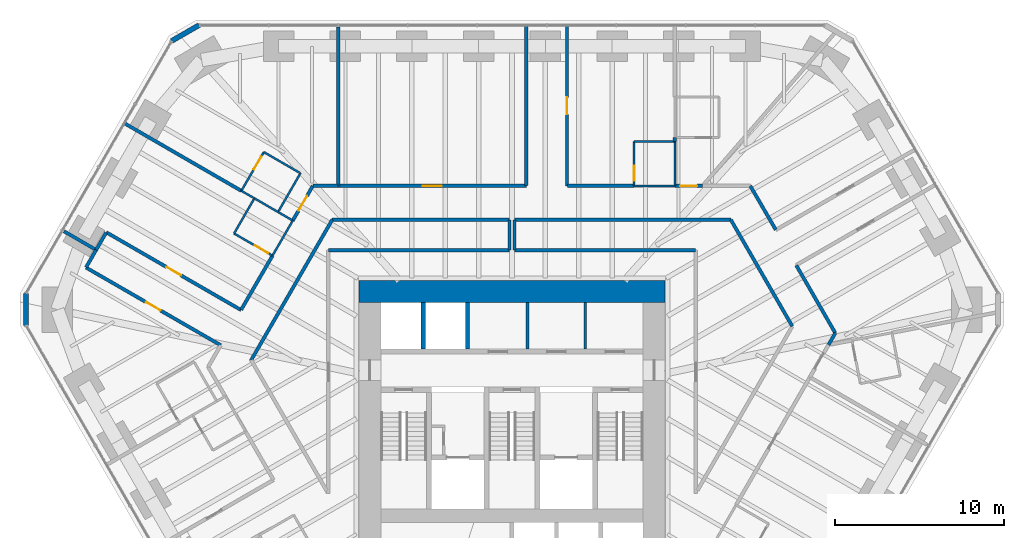
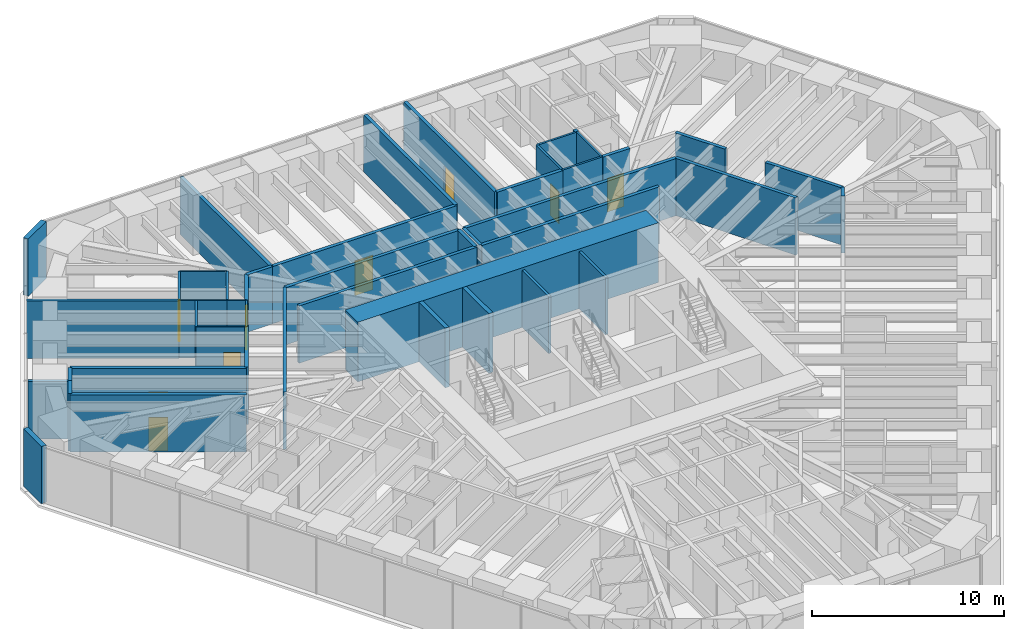
# One storey, part 14 of 16: 47 walls, 9 doors, 9 openings.
"""IFC4 building model written with IfcOpenShell, lengths in metres."""

from ifc_helpers import new_model, si_unit, direction, frame, frame_2d, origin, place, context, subcontext, project, spatial, rectangle, extrude, material, layer, layer_set, type_object, element, fill, save


model = new_model("IFC4")

# Units and contexts
model_context = context("Model", 3, precision=1e-05, world=origin(), true_north=direction((0.0, 1.0)))
body_context = subcontext(model_context, "Body", "Model", "MODEL_VIEW")
ifc_project = project(units=[si_unit("LENGTHUNIT", "METRE"), si_unit("AREAUNIT", "SQUARE_METRE"), si_unit("VOLUMEUNIT", "CUBIC_METRE"), si_unit("PLANEANGLEUNIT", "RADIAN"), si_unit("MASSUNIT", "GRAM", prefix="KILO")], contexts=[model_context])

# Site, building, storey
site_placement = place(None, origin())
site = spatial("IfcSite", under=ifc_project, at=site_placement, CompositionType="ELEMENT")
building_placement = place(site_placement, origin())
building = spatial("IfcBuilding", under=site, at=building_placement, Name="Sandreach Pilgrim Tower", CompositionType="ELEMENT")
storey_placement = place(building_placement, frame((0.0, 0.0, 134.800048828125)))
storey = spatial("IfcBuildingStorey", under=building, at=storey_placement, Name="L33", CompositionType="ELEMENT", Elevation=134.800048828125)

# Walls
ifc_material_1 = material(Name="Gypsum board on steel studs", Category="steel")
ifc_layer_1 = layer(ifc_material_1, 0.14990234375)
ifc_layer_set_1 = layer_set([ifc_layer_1], Name="Back of house wall 150")
wall_type_1 = type_object("IfcWallType", Name="Back of house wall 150", PredefinedType="PARTITIONING", material=ifc_layer_set_1)
for number, where, z_axis, x_axis, name in (
    (1, (0.916748046875, 3.35009765625, 0.0), (0.0, 0.0, 1.0), (0.0, 1.0, 0.0), "Core room partition L33 1"),
    (2, (4.333251953125, 3.35009765625, 0.0), (0.0, 0.0, 1.0), (0.0, 1.0, 0.0), "Core room partition L33 2"),
):
    element("IfcWall", number, at=place(storey_placement, frame(where, z_axis=z_axis, x_axis=x_axis)), inside=storey, type_object=wall_type_1, Name=name, PredefinedType="PARTITIONING", context=body_context, shape_type="SweptSolid", body=[
        extrude(rectangle(XDim=2.75, YDim=0.14990234375, at=frame_2d((1.375, 0.0))), origin(), (0.0, 0.0, 1.0), 3.639892578125),
    ])

# Wall, opening, door
ifc_material_2 = material(Name="Moisture-resistant gypsum board on steel studs", Category="steel")
ifc_layer_2 = layer(ifc_material_2, 0.1201171875)
ifc_layer_set_2 = layer_set([ifc_layer_2], Name="Bathroom partition 120")
wall_type_2 = type_object("IfcWallType", Name="Bathroom partition 120", PredefinedType="PARTITIONING", material=ifc_layer_set_2)
wall_1_placement = place(storey_placement, frame((-16.419921875, 10.179931640625, 0.0), z_axis=(0.0, 0.0, 1.0), x_axis=(0.866114241029, -0.499846097802, 0.0)))
wall_1 = element("IfcWall", 3, at=wall_1_placement, inside=storey, type_object=wall_type_2, Name="Bathroom partition L33-019", PredefinedType="PARTITIONING", context=body_context, shape_type="SweptSolid", body=[
    extrude(rectangle(XDim=2.620849609375, YDim=0.1201171875, at=frame_2d((1.310546875, 0.0))), origin(), (0.0, 0.0, 1.0), 3.639892578125),
])
opening_1_placement = place(wall_1_placement, frame((1.4208984375, 0.0, 0.0)))
opening_1 = element("IfcOpeningElement", 4, at=opening_1_placement, cuts=wall_1, Name="Opening D09-16B", PredefinedType="OPENING", context=body_context, shape_type="SweptSolid", body=[
    extrude(rectangle(XDim=0.89990234375, YDim=2.030029296875, at=frame_2d((0.449951171875, 1.01513671875))), frame((0.0, 0.06005859375, 0.0), z_axis=(0.0, -1.0, 0.0), x_axis=(1.0, 0.0, 0.0)), (0.0, 0.0, 1.0), 0.1201171875),
])
ifc_material_3 = material(Name="Timber door, steel frame", Category="steel")
door_type_1 = type_object("IfcDoorType", Name="Bathroom door", OperationType="SINGLE_SWING_LEFT", PredefinedType="DOOR", material=ifc_material_3)
door_1_placement = place(opening_1_placement, origin())
door_1 = element("IfcDoor", 5, at=door_1_placement, inside=storey, type_object=door_type_1, Name="Door 3316B", OperationType="SINGLE_SWING_RIGHT", OverallHeight=2.030029296875, OverallWidth=0.89990234375, PredefinedType="DOOR", context=body_context, shape_type="SweptSolid", body=[
    extrude(rectangle(XDim=0.89990234375, YDim=2.030029296875, at=frame_2d((0.449951171875, 1.01513671875))), frame((0.0, 0.02490234375, 0.0), z_axis=(0.0, -1.0, 0.0), x_axis=(1.0, 0.0, 0.0)), (0.0, 0.0, 1.0), 0.050048828125),
])
fill(opening_1, door_1)

# Walls
wall_2_placement = place(storey_placement, frame((-15.989990234375, 12.699951171875, 0.0), z_axis=(0.0, 0.0, 1.0), x_axis=(0.868277022428, -0.496079643125, 0.0)))
element("IfcWall", 6, at=wall_2_placement, inside=storey, type_object=wall_type_2, Name="Bathroom partition L33-022", PredefinedType="PARTITIONING", context=body_context, shape_type="SweptSolid", body=[
    extrude(rectangle(XDim=0.88671875, YDim=0.1201171875, at=frame_2d((0.443359375, 0.0))), origin(), (0.0, 0.0, 1.0), 3.639892578125),
])
wall_3_placement = place(storey_placement, frame((-15.219970703125, 12.260009765625, 0.0), z_axis=(0.0, 0.0, 1.0), x_axis=(-0.499693115345, -0.866202511239, 0.0)))
element("IfcWall", 7, at=wall_3_placement, inside=storey, type_object=wall_type_2, Name="Bathroom partition L33-025", PredefinedType="PARTITIONING", context=body_context, shape_type="SweptSolid", body=[
    extrude(rectangle(XDim=2.4013671875, YDim=0.1201171875, at=frame_2d((1.20068359375, 0.0))), origin(), (0.0, 0.0, 1.0), 3.639892578125),
])
wall_4_placement = place(storey_placement, frame((-15.219970703125, 12.260009765625, 0.0), z_axis=(0.0, 0.0, 1.0), x_axis=(0.864822777425, -0.502077248685, 0.0)))
element("IfcWall", 8, at=wall_4_placement, inside=storey, type_object=wall_type_2, Name="Bathroom partition L33-026", PredefinedType="PARTITIONING", context=body_context, shape_type="SweptSolid", body=[
    extrude(rectangle(XDim=1.6171875, YDim=0.1201171875, at=frame_2d((0.80859375, 0.0))), origin(), (0.0, 0.0, 1.0), 3.639892578125),
])

# Wall, opening, door
wall_5_placement = place(storey_placement, frame((-14.659912109375, 14.989990234375, 0.0), z_axis=(0.0, 0.0, 1.0), x_axis=(-0.502242265546, -0.864726954997, 0.0)))
wall_5 = element("IfcWall", 9, at=wall_5_placement, inside=storey, type_object=wall_type_2, Name="Bathroom partition L33-029", PredefinedType="PARTITIONING", context=body_context, shape_type="SweptSolid", body=[
    extrude(rectangle(XDim=2.648193359375, YDim=0.1201171875, at=frame_2d((1.32421875, 0.0))), origin(), (0.0, 0.0, 1.0), 3.639892578125),
])
opening_2_placement = place(wall_5_placement, frame((0.300048828125, 0.0, 0.0)))
opening_2 = element("IfcOpeningElement", 10, at=opening_2_placement, cuts=wall_5, Name="Opening D09-17B", PredefinedType="OPENING", context=body_context, shape_type="SweptSolid", body=[
    extrude(rectangle(XDim=0.89990234375, YDim=2.030029296875, at=frame_2d((0.449951171875, 1.01513671875))), frame((0.0, 0.06005859375, 0.0), z_axis=(0.0, -1.0, 0.0), x_axis=(1.0, 0.0, 0.0)), (0.0, 0.0, 1.0), 0.1201171875),
])
door_2_placement = place(opening_2_placement, origin())
door_2 = element("IfcDoor", 11, at=door_2_placement, inside=storey, type_object=door_type_1, Name="Door 3317B", OperationType="SINGLE_SWING_LEFT", OverallHeight=2.030029296875, OverallWidth=0.89990234375, PredefinedType="DOOR", context=body_context, shape_type="SweptSolid", body=[
    extrude(rectangle(XDim=0.89990234375, YDim=2.030029296875, at=frame_2d((0.449951171875, 1.01513671875))), frame((0.0, 0.02490234375, 0.0), z_axis=(0.0, -1.0, 0.0), x_axis=(1.0, 0.0, 0.0)), (0.0, 0.0, 1.0), 0.050048828125),
])
fill(opening_2, door_2)

# Walls
wall_6_placement = place(storey_placement, frame((-14.14990234375, 8.8701171875, 0.0), z_axis=(0.0, 0.0, 1.0), x_axis=(0.500401517907, 0.865793463175, 0.0)))
element("IfcWall", 12, at=wall_6_placement, inside=storey, type_object=wall_type_2, Name="Bathroom partition L33-031", PredefinedType="PARTITIONING", context=body_context, shape_type="SweptSolid", body=[
    extrude(rectangle(XDim=2.39599609375, YDim=0.1201171875, at=frame_2d((1.197998046875, 0.0))), origin(), (0.0, 0.0, 1.0), 3.639892578125),
])
wall_7_placement = place(storey_placement, frame((-13.8212890625, 11.447998046875, 0.0), z_axis=(0.0, 0.0, 1.0), x_axis=(0.865694957185, -0.500571914019, 0.0)))
element("IfcWall", 13, at=wall_7_placement, inside=storey, type_object=wall_type_2, Name="Bathroom partition L33-033", PredefinedType="PARTITIONING", context=body_context, shape_type="SweptSolid", body=[
    extrude(rectangle(XDim=0.994873046875, YDim=0.1201171875, at=frame_2d((0.49755859375, 0.0))), origin(), (0.0, 0.0, 1.0), 3.639892578125),
])
wall_8_placement = place(storey_placement, frame((-13.820068359375, 11.449951171875, 0.0), z_axis=(0.0, 0.0, 1.0), x_axis=(0.499407914056, 0.866366975004, 0.0)))
element("IfcWall", 14, at=wall_8_placement, inside=storey, type_object=wall_type_2, Name="Bathroom partition L33-034", PredefinedType="PARTITIONING", context=body_context, shape_type="SweptSolid", body=[
    extrude(rectangle(XDim=2.643310546875, YDim=0.1201171875, at=frame_2d((1.32177734375, 0.0))), origin(), (0.0, 0.0, 1.0), 3.639892578125),
])
wall_9_placement = place(storey_placement, frame((-12.5, 13.739990234375, 0.0), z_axis=(0.0, 0.0, 1.0), x_axis=(-0.865508881864, 0.500893576935, 0.0)))
element("IfcWall", 15, at=wall_9_placement, inside=storey, type_object=wall_type_2, Name="Bathroom partition L33-038", PredefinedType="PARTITIONING", context=body_context, shape_type="SweptSolid", body=[
    extrude(rectangle(XDim=2.49560546875, YDim=0.1201171875, at=frame_2d((1.247802734375, 0.0))), origin(), (0.0, 0.0, 1.0), 3.639892578125),
])

# Wall, opening, door
wall_10_placement = place(storey_placement, frame((7.219970703125, 15.610107421875, 0.0), z_axis=(0.0, 0.0, 1.0), x_axis=(0.0, -1.0, 0.0)))
wall_10 = element("IfcWall", 16, at=wall_10_placement, inside=storey, type_object=wall_type_2, Name="Bathroom partition L33-087", PredefinedType="PARTITIONING", context=body_context, shape_type="SweptSolid", body=[
    extrude(rectangle(XDim=2.6201171875, YDim=0.1201171875, at=frame_2d((1.31005859375, 0.0))), origin(), (0.0, 0.0, 1.0), 3.639892578125),
])
opening_3_placement = place(wall_10_placement, frame((1.419921875, 0.0, 0.0)))
opening_3 = element("IfcOpeningElement", 17, at=opening_3_placement, cuts=wall_10, Name="Opening D09-02B", PredefinedType="OPENING", context=body_context, shape_type="SweptSolid", body=[
    extrude(rectangle(XDim=0.89990234375, YDim=2.030029296875, at=frame_2d((0.449951171875, 1.01513671875))), frame((0.0, 0.06005859375, 0.0), z_axis=(0.0, -1.0, 0.0), x_axis=(1.0, 0.0, 0.0)), (0.0, 0.0, 1.0), 0.1201171875),
])
door_3_placement = place(opening_3_placement, origin())
door_3 = element("IfcDoor", 18, at=door_3_placement, inside=storey, type_object=door_type_1, Name="Door 3302B", OperationType="SINGLE_SWING_RIGHT", OverallHeight=2.030029296875, OverallWidth=0.89990234375, PredefinedType="DOOR", context=body_context, shape_type="SweptSolid", body=[
    extrude(rectangle(XDim=0.89990234375, YDim=2.030029296875, at=frame_2d((0.449951171875, 1.01513671875))), frame((0.0, 0.02490234375, 0.0), z_axis=(0.0, -1.0, 0.0), x_axis=(1.0, 0.0, 0.0)), (0.0, 0.0, 1.0), 0.050048828125),
])
fill(opening_3, door_3)

# Walls
for number, where, z_axis, x_axis, name in (
    (19, (9.6201171875, 12.989990234375, 0.0), (0.0, 0.0, 1.0), (-1.0, 0.0, 0.0), "Bathroom partition L33-098"),
    (20, (9.6201171875, 15.610107421875, 0.0), (0.0, 0.0, 1.0), (-1.0, 0.0, 0.0), "Bathroom partition L33-099"),
):
    element("IfcWall", number, at=place(storey_placement, frame(where, z_axis=z_axis, x_axis=x_axis)), inside=storey, type_object=wall_type_2, Name=name, PredefinedType="PARTITIONING", context=body_context, shape_type="SweptSolid", body=[
        extrude(rectangle(XDim=2.400146484375, YDim=0.1201171875, at=frame_2d((1.2001953125, 0.0))), origin(), (0.0, 0.0, 1.0), 3.639892578125),
    ])
wall_11_placement = place(storey_placement, frame((9.6201171875, 15.610107421875, 0.0), z_axis=(0.0, 0.0, 1.0), x_axis=(0.0, -1.0, 0.0)))
element("IfcWall", 21, at=wall_11_placement, inside=storey, type_object=wall_type_2, Name="Bathroom partition L33-100", PredefinedType="PARTITIONING", context=body_context, shape_type="SweptSolid", body=[
    extrude(rectangle(XDim=2.6201171875, YDim=0.1201171875, at=frame_2d((1.31005859375, 0.0))), origin(), (0.0, 0.0, 1.0), 3.639892578125),
])
ifc_material_4 = material(Name="Concrete 10000 psi", Category="concrete")
ifc_layer_3 = layer(ifc_material_4, 1.300048828125)
ifc_layer_set_3 = layer_set([ifc_layer_3], Name="Core wall 1300")
wall_type_3 = type_object("IfcWallType", Name="Core wall 1300", PredefinedType="SHEAR", material=ifc_layer_set_3)
wall_12_placement = place(storey_placement, frame((-9.050048828125, 6.75, 0.0), z_axis=(0.0, 0.0, 1.0), x_axis=(1.0, 0.0, 0.0)))
element("IfcWall", 22, at=wall_12_placement, inside=storey, type_object=wall_type_3, Name="Core wall N L33", PredefinedType="SHEAR", context=body_context, shape_type="SweptSolid", body=[
    extrude(rectangle(XDim=18.10009765625, YDim=1.300048828125, at=frame_2d((9.050048828125, 0.0))), origin(), (0.0, 0.0, 1.0), 3.800048828125),
])

# Wall, opening, door
ifc_material_5 = material(Name="Gypsum board on steel studs, two layers each side", Category="steel")
ifc_layer_4 = layer(ifc_material_5, 0.199951171875)
ifc_layer_set_4 = layer_set([ifc_layer_4], Name="Corridor wall 200")
wall_type_4 = type_object("IfcWallType", Name="Corridor wall 200", PredefinedType="PARTITIONING", material=ifc_layer_set_4)
wall_13_placement = place(storey_placement, frame((-25.169921875, 8.169921875, 0.0), z_axis=(0.0, 0.0, 1.0), x_axis=(0.866300573619, -0.499523088702, 0.0)))
wall_13 = element("IfcWall", 23, at=wall_13_placement, inside=storey, type_object=wall_type_4, Name="Corridor wall L33-002", PredefinedType="PARTITIONING", context=body_context, shape_type="SweptSolid", body=[
    extrude(rectangle(XDim=9.1884765625, YDim=0.199951171875, at=frame_2d((4.59423828125, 0.0))), origin(), (0.0, 0.0, 1.0), 3.639892578125),
])
opening_4_placement = place(wall_13_placement, frame((4.09423828125, 0.0, 0.0)))
opening_4 = element("IfcOpeningElement", 24, at=opening_4_placement, cuts=wall_13, Name="Opening D10-15", PredefinedType="OPENING", context=body_context, shape_type="SweptSolid", body=[
    extrude(rectangle(XDim=1.0, YDim=2.1298828125, at=frame_2d((0.5, 1.06494140625))), frame((0.0, 0.10009765625, 0.0), z_axis=(0.0, -1.0, 0.0), x_axis=(1.0, 0.0, 0.0)), (0.0, 0.0, 1.0), 0.199951171875),
])
ifc_material_6 = material(Name="Steel door and frame", Category="steel")
door_type_2 = type_object("IfcDoorType", Name="Guest room entry door", OperationType="SINGLE_SWING_LEFT", PredefinedType="DOOR", material=ifc_material_6)
door_4_placement = place(opening_4_placement, origin())
door_4 = element("IfcDoor", 25, at=door_4_placement, inside=storey, type_object=door_type_2, Name="Door 3315", OperationType="SINGLE_SWING_LEFT", OverallHeight=2.1298828125, OverallWidth=1.0, PredefinedType="DOOR", context=body_context, shape_type="SweptSolid", body=[
    extrude(rectangle(XDim=1.0, YDim=2.1298828125, at=frame_2d((0.5, 1.06494140625))), frame((0.0, 0.02490234375, 0.0), z_axis=(0.0, -1.0, 0.0), x_axis=(1.0, 0.0, 0.0)), (0.0, 0.0, 1.0), 0.050048828125),
])
fill(opening_4, door_4)

# Walls
for number, where, z_axis, x_axis, name in (
    (26, (-24.570068359375, 9.2099609375, 0.0), (0.0, 0.0, 1.0), (-0.499704629046, -0.866195869137, 0.0), "Corridor wall L33-003"),
    (27, (-23.9775390625, 10.237060546875, 0.0), (0.0, 0.0, 1.0), (-0.499704629046, -0.866195869137, 0.0), "Corridor wall L33-004"),
):
    element("IfcWall", number, at=place(storey_placement, frame(where, z_axis=z_axis, x_axis=x_axis)), inside=storey, type_object=wall_type_4, Name=name, PredefinedType="PARTITIONING", context=body_context, shape_type="SweptSolid", body=[
        extrude(rectangle(XDim=1.185791015625, YDim=0.199951171875, at=frame_2d((0.5927734375, 0.0))), origin(), (0.0, 0.0, 1.0), 3.639892578125),
    ])

# Wall, opening, door
wall_14_placement = place(storey_placement, frame((-16.010009765625, 5.659912109375, 0.0), z_axis=(0.0, 0.0, 1.0), x_axis=(-0.866289075554, 0.499543028754, 0.0)))
wall_14 = element("IfcWall", 28, at=wall_14_placement, inside=storey, type_object=wall_type_4, Name="Corridor wall L33-020", PredefinedType="PARTITIONING", context=body_context, shape_type="SweptSolid", body=[
    extrude(rectangle(XDim=9.1884765625, YDim=0.199951171875, at=frame_2d((4.59423828125, 0.0))), origin(), (0.0, 0.0, 1.0), 3.639892578125),
])
opening_5_placement = place(wall_14_placement, frame((4.09423828125, 0.0, 0.0)))
opening_5 = element("IfcOpeningElement", 29, at=opening_5_placement, cuts=wall_14, Name="Opening D10-16", PredefinedType="OPENING", context=body_context, shape_type="SweptSolid", body=[
    extrude(rectangle(XDim=1.0, YDim=2.1298828125, at=frame_2d((0.5, 1.06494140625))), frame((0.0, 0.10009765625, 0.0), z_axis=(0.0, -1.0, 0.0), x_axis=(1.0, 0.0, 0.0)), (0.0, 0.0, 1.0), 0.199951171875),
])
door_5_placement = place(opening_5_placement, origin())
door_5 = element("IfcDoor", 30, at=door_5_placement, inside=storey, type_object=door_type_2, Name="Door 3316", OperationType="SINGLE_SWING_LEFT", OverallHeight=2.1298828125, OverallWidth=1.0, PredefinedType="DOOR", context=body_context, shape_type="SweptSolid", body=[
    extrude(rectangle(XDim=1.0, YDim=2.1298828125, at=frame_2d((0.5, 1.06494140625))), frame((0.0, 0.02490234375, 0.0), z_axis=(0.0, -1.0, 0.0), x_axis=(1.0, 0.0, 0.0)), (0.0, 0.0, 1.0), 0.050048828125),
])
fill(opening_5, door_5)

# Walls
wall_15_placement = place(storey_placement, frame((-16.0048828125, 5.668701171875, 0.0), z_axis=(0.0, 0.0, 1.0), x_axis=(0.501374384923, 0.865230446842, 0.0)))
element("IfcWall", 31, at=wall_15_placement, inside=storey, type_object=wall_type_4, Name="Corridor wall L33-021", PredefinedType="PARTITIONING", context=body_context, shape_type="SweptSolid", body=[
    extrude(rectangle(XDim=3.69970703125, YDim=0.199951171875, at=frame_2d((1.849853515625, 0.0))), origin(), (0.0, 0.0, 1.0), 3.639892578125),
])
wall_16_placement = place(storey_placement, frame((-15.409912109375, 2.699951171875, 0.0), z_axis=(0.0, 0.0, 1.0), x_axis=(0.500296290322, 0.865854272894, 0.0)))
element("IfcWall", 32, at=wall_16_placement, inside=storey, type_object=wall_type_4, Name="Corridor wall L33-024", PredefinedType="PARTITIONING", context=body_context, shape_type="SweptSolid", body=[
    extrude(rectangle(XDim=9.574462890625, YDim=0.199951171875, at=frame_2d((4.787109375, 0.0))), origin(), (0.0, 0.0, 1.0), 3.639892578125),
])

# Wall, opening, door
wall_17_placement = place(storey_placement, frame((-12.950927734375, 10.944580078125, 0.0), z_axis=(0.0, 0.0, 1.0), x_axis=(0.499996855872, 0.86602721904, 0.0)))
wall_17 = element("IfcWall", 33, at=wall_17_placement, inside=storey, type_object=wall_type_4, Name="Corridor wall L33-036", PredefinedType="PARTITIONING", context=body_context, shape_type="SweptSolid", body=[
    extrude(rectangle(XDim=2.36181640625, YDim=0.199951171875, at=frame_2d((1.180908203125, 0.0))), origin(), (0.0, 0.0, 1.0), 3.639892578125),
])
opening_6_placement = place(wall_17_placement, frame((0.680908203125, 0.0, 0.0)))
opening_6 = element("IfcOpeningElement", 34, at=opening_6_placement, cuts=wall_17, Name="Opening D10-17", PredefinedType="OPENING", context=body_context, shape_type="SweptSolid", body=[
    extrude(rectangle(XDim=1.0, YDim=2.1298828125, at=frame_2d((0.5, 1.06494140625))), frame((0.0, 0.10009765625, 0.0), z_axis=(0.0, -1.0, 0.0), x_axis=(1.0, 0.0, 0.0)), (0.0, 0.0, 1.0), 0.199951171875),
])
door_6_placement = place(opening_6_placement, origin())
door_6 = element("IfcDoor", 35, at=door_6_placement, inside=storey, type_object=door_type_2, Name="Door 3317", OperationType="SINGLE_SWING_LEFT", OverallHeight=2.1298828125, OverallWidth=1.0, PredefinedType="DOOR", context=body_context, shape_type="SweptSolid", body=[
    extrude(rectangle(XDim=1.0, YDim=2.1298828125, at=frame_2d((0.5, 1.06494140625))), frame((0.0, 0.02490234375, 0.0), z_axis=(0.0, -1.0, 0.0), x_axis=(1.0, 0.0, 0.0)), (0.0, 0.0, 1.0), 0.050048828125),
])
fill(opening_6, door_6)

# Walls
wall_18_placement = place(storey_placement, frame((-10.6201171875, 10.989990234375, 0.0), z_axis=(0.0, 0.0, 1.0), x_axis=(1.0, 0.0, 0.0)))
element("IfcWall", 36, at=wall_18_placement, inside=storey, type_object=wall_type_4, Name="Corridor wall L33-042", PredefinedType="PARTITIONING", context=body_context, shape_type="SweptSolid", body=[
    extrude(rectangle(XDim=10.47021484375, YDim=0.199951171875, at=frame_2d((5.235107421875, 0.0))), origin(), (0.0, 0.0, 1.0), 3.639892578125),
])
wall_19_placement = place(storey_placement, frame((-10.27001953125, 12.989990234375, 0.0), z_axis=(0.0, 0.0, 1.0), x_axis=(-1.0, 0.0, 0.0)))
element("IfcWall", 37, at=wall_19_placement, inside=storey, type_object=wall_type_4, Name="Corridor wall L33-043", PredefinedType="PARTITIONING", context=body_context, shape_type="SweptSolid", body=[
    extrude(rectangle(XDim=1.5, YDim=0.199951171875, at=frame_2d((0.75, 0.0))), origin(), (0.0, 0.0, 1.0), 3.639892578125),
])
wall_20_placement = place(storey_placement, frame((-0.14990234375, 9.199951171875, 0.0), z_axis=(0.0, 0.0, 1.0), x_axis=(-1.0, 0.0, 0.0)))
element("IfcWall", 38, at=wall_20_placement, inside=storey, type_object=wall_type_4, Name="Corridor wall L33-066", PredefinedType="PARTITIONING", context=body_context, shape_type="SweptSolid", body=[
    extrude(rectangle(XDim=10.690185546875, YDim=0.199951171875, at=frame_2d((5.34521484375, 0.0))), origin(), (0.0, 0.0, 1.0), 3.639892578125),
])
for number, where, z_axis, x_axis, name in (
    (39, (-0.14990234375, 10.97998046875, 0.0), (0.0, 0.0, 1.0), (0.0, -1.0, 0.0), "Corridor wall L33-067"),
    (40, (0.14990234375, 9.2099609375, 0.0), (0.0, 0.0, 1.0), (0.0, 1.0, 0.0), "Corridor wall L33-068"),
):
    element("IfcWall", number, at=place(storey_placement, frame(where, z_axis=z_axis, x_axis=x_axis)), inside=storey, type_object=wall_type_4, Name=name, PredefinedType="PARTITIONING", context=body_context, shape_type="SweptSolid", body=[
        extrude(rectangle(XDim=1.77001953125, YDim=0.199951171875, at=frame_2d((0.885009765625, 0.0))), origin(), (0.0, 0.0, 1.0), 3.639892578125),
    ])
wall_21_placement = place(storey_placement, frame((0.14990234375, 10.989990234375, 0.0), z_axis=(0.0, 0.0, 1.0), x_axis=(1.0, 0.0, 0.0)))
element("IfcWall", 41, at=wall_21_placement, inside=storey, type_object=wall_type_4, Name="Corridor wall L33-069", PredefinedType="PARTITIONING", context=body_context, shape_type="SweptSolid", body=[
    extrude(rectangle(XDim=12.780029296875, YDim=0.199951171875, at=frame_2d((6.39013671875, 0.0))), origin(), (0.0, 0.0, 1.0), 3.639892578125),
])

# Wall, opening, door
wall_22_placement = place(storey_placement, frame((0.85009765625, 12.989990234375, 0.0), z_axis=(0.0, 0.0, 1.0), x_axis=(-1.0, 0.0, 0.0)))
wall_22 = element("IfcWall", 42, at=wall_22_placement, inside=storey, type_object=wall_type_4, Name="Corridor wall L33-070", PredefinedType="PARTITIONING", context=body_context, shape_type="SweptSolid", body=[
    extrude(rectangle(XDim=11.1201171875, YDim=0.199951171875, at=frame_2d((5.56005859375, 0.0))), origin(), (0.0, 0.0, 1.0), 3.639892578125),
])
opening_7_placement = place(wall_22_placement, frame((5.010009765625, 0.0, 0.0)))
opening_7 = element("IfcOpeningElement", 43, at=opening_7_placement, cuts=wall_22, Name="Opening D11H-01", PredefinedType="OPENING", context=body_context, shape_type="SweptSolid", body=[
    extrude(rectangle(XDim=1.10009765625, YDim=2.199951171875, at=frame_2d((0.550048828125, 1.10009765625))), frame((0.0, 0.10009765625, 0.0), z_axis=(0.0, -1.0, 0.0), x_axis=(1.0, 0.0, 0.0)), (0.0, 0.0, 1.0), 0.199951171875),
])
ifc_material_7 = material(Name="Steel door and frame", Category="steel")
door_type_3 = type_object("IfcDoorType", Name="Back of house door", OperationType="SINGLE_SWING_LEFT", PredefinedType="DOOR", material=ifc_material_7)
door_7_placement = place(opening_7_placement, origin())
door_7 = element("IfcDoor", 44, at=door_7_placement, inside=storey, type_object=door_type_3, Name="Door 3301", OperationType="SINGLE_SWING_LEFT", OverallHeight=2.199951171875, OverallWidth=1.10009765625, PredefinedType="DOOR", context=body_context, shape_type="SweptSolid", body=[
    extrude(rectangle(XDim=1.10009765625, YDim=2.199951171875, at=frame_2d((0.550048828125, 1.10009765625))), frame((0.0, 0.02490234375, 0.0), z_axis=(0.0, -1.0, 0.0), x_axis=(1.0, 0.0, 0.0)), (0.0, 0.0, 1.0), 0.050048828125),
])
fill(opening_7, door_7)

# Wall
wall_23_placement = place(storey_placement, frame((0.85009765625, 22.4599609375, 0.0), z_axis=(0.0, 0.0, 1.0), x_axis=(0.0, -1.0, 0.0)))
element("IfcWall", 45, at=wall_23_placement, inside=storey, type_object=wall_type_4, Name="Corridor wall L33-071", PredefinedType="PARTITIONING", context=body_context, shape_type="SweptSolid", body=[
    extrude(rectangle(XDim=9.455078125, YDim=0.199951171875, at=frame_2d((4.7275390625, 0.0))), origin(), (0.0, 0.0, 1.0), 3.639892578125),
])

# Wall, opening, door
wall_24_placement = place(storey_placement, frame((3.25, 12.989990234375, 0.0), z_axis=(0.0, 0.0, 1.0), x_axis=(0.0, 1.0, 0.0)))
wall_24 = element("IfcWall", 46, at=wall_24_placement, inside=storey, type_object=wall_type_4, Name="Corridor wall L33-076", PredefinedType="PARTITIONING", context=body_context, shape_type="SweptSolid", body=[
    extrude(rectangle(XDim=9.469970703125, YDim=0.199951171875, at=frame_2d((4.73486328125, 0.0))), origin(), (0.0, 0.0, 1.0), 3.639892578125),
])
opening_8_placement = place(wall_24_placement, frame((4.235107421875, 0.0, 0.0)))
opening_8 = element("IfcOpeningElement", 47, at=opening_8_placement, cuts=wall_24, Name="Opening D10-02", PredefinedType="OPENING", context=body_context, shape_type="SweptSolid", body=[
    extrude(rectangle(XDim=1.0, YDim=2.1298828125, at=frame_2d((0.5, 1.06494140625))), frame((0.0, 0.10009765625, 0.0), z_axis=(0.0, -1.0, 0.0), x_axis=(1.0, 0.0, 0.0)), (0.0, 0.0, 1.0), 0.199951171875),
])
door_8_placement = place(opening_8_placement, origin())
door_8 = element("IfcDoor", 48, at=door_8_placement, inside=storey, type_object=door_type_2, Name="Door 3302", OperationType="SINGLE_SWING_LEFT", OverallHeight=2.1298828125, OverallWidth=1.0, PredefinedType="DOOR", context=body_context, shape_type="SweptSolid", body=[
    extrude(rectangle(XDim=1.0, YDim=2.1298828125, at=frame_2d((0.5, 1.06494140625))), frame((0.0, 0.02490234375, 0.0), z_axis=(0.0, -1.0, 0.0), x_axis=(1.0, 0.0, 0.0)), (0.0, 0.0, 1.0), 0.050048828125),
])
fill(opening_8, door_8)

# Walls
wall_25_placement = place(storey_placement, frame((7.219970703125, 12.989990234375, 0.0), z_axis=(0.0, 0.0, 1.0), x_axis=(-1.0, 0.0, 0.0)))
element("IfcWall", 49, at=wall_25_placement, inside=storey, type_object=wall_type_4, Name="Corridor wall L33-086", PredefinedType="PARTITIONING", context=body_context, shape_type="SweptSolid", body=[
    extrude(rectangle(XDim=3.955078125, YDim=0.199951171875, at=frame_2d((1.9775390625, 0.0))), origin(), (0.0, 0.0, 1.0), 3.639892578125),
])
wall_26_placement = place(storey_placement, frame((10.840087890625, 9.199951171875, 0.0), z_axis=(0.0, 0.0, 1.0), x_axis=(-1.0, 0.0, 0.0)))
element("IfcWall", 50, at=wall_26_placement, inside=storey, type_object=wall_type_4, Name="Corridor wall L33-108", PredefinedType="PARTITIONING", context=body_context, shape_type="SweptSolid", body=[
    extrude(rectangle(XDim=10.690185546875, YDim=0.199951171875, at=frame_2d((5.34521484375, 0.0))), origin(), (0.0, 0.0, 1.0), 3.639892578125),
])

# Wall, opening, door
wall_27_placement = place(storey_placement, frame((11.25, 12.989990234375, 0.0), z_axis=(0.0, 0.0, 1.0), x_axis=(-1.0, 0.0, 0.0)))
wall_27 = element("IfcWall", 51, at=wall_27_placement, inside=storey, type_object=wall_type_4, Name="Corridor wall L33-110", PredefinedType="PARTITIONING", context=body_context, shape_type="SweptSolid", body=[
    extrude(rectangle(XDim=1.6298828125, YDim=0.199951171875, at=frame_2d((0.81494140625, 0.0))), origin(), (0.0, 0.0, 1.0), 3.639892578125),
])
opening_9_placement = place(wall_27_placement, frame((0.31494140625, 0.0, 0.0)))
opening_9 = element("IfcOpeningElement", 52, at=opening_9_placement, cuts=wall_27, Name="Opening D10-03", PredefinedType="OPENING", context=body_context, shape_type="SweptSolid", body=[
    extrude(rectangle(XDim=1.0, YDim=2.1298828125, at=frame_2d((0.5, 1.06494140625))), frame((0.0, 0.10009765625, 0.0), z_axis=(0.0, -1.0, 0.0), x_axis=(1.0, 0.0, 0.0)), (0.0, 0.0, 1.0), 0.199951171875),
])
door_9_placement = place(opening_9_placement, origin())
door_9 = element("IfcDoor", 53, at=door_9_placement, inside=storey, type_object=door_type_2, Name="Door 3303", OperationType="SINGLE_SWING_LEFT", OverallHeight=2.1298828125, OverallWidth=1.0, PredefinedType="DOOR", context=body_context, shape_type="SweptSolid", body=[
    extrude(rectangle(XDim=1.0, YDim=2.1298828125, at=frame_2d((0.5, 1.06494140625))), frame((0.0, 0.02490234375, 0.0), z_axis=(0.0, -1.0, 0.0), x_axis=(1.0, 0.0, 0.0)), (0.0, 0.0, 1.0), 0.050048828125),
])
fill(opening_9, door_9)

# Walls
wall_28_placement = place(storey_placement, frame((12.929931640625, 10.989990234375, 0.0), z_axis=(0.0, 0.0, 1.0), x_axis=(0.4998524389, -0.866110581465, 0.0)))
element("IfcWall", 54, at=wall_28_placement, inside=storey, type_object=wall_type_4, Name="Corridor wall L33-116", PredefinedType="PARTITIONING", context=body_context, shape_type="SweptSolid", body=[
    extrude(rectangle(XDim=7.262451171875, YDim=0.199951171875, at=frame_2d((3.63134765625, 0.0))), origin(), (0.0, 0.0, 1.0), 3.639892578125),
])
wall_29_placement = place(storey_placement, frame((15.5849609375, 10.398681640625, 0.0), z_axis=(0.0, 0.0, 1.0), x_axis=(-0.502198411801, 0.864752424214, 0.0)))
element("IfcWall", 55, at=wall_29_placement, inside=storey, type_object=wall_type_4, Name="Corridor wall L33-122", PredefinedType="PARTITIONING", context=body_context, shape_type="SweptSolid", body=[
    extrude(rectangle(XDim=2.99658203125, YDim=0.199951171875, at=frame_2d((1.498291015625, 0.0))), origin(), (0.0, 0.0, 1.0), 3.639892578125),
])
wall_30_placement = place(storey_placement, frame((18.699951171875, 3.60009765625, 0.0), z_axis=(0.0, 0.0, 1.0), x_axis=(0.496301979961, 0.868149955185, 0.0)))
element("IfcWall", 56, at=wall_30_placement, inside=storey, type_object=wall_type_4, Name="Corridor wall L33-126", PredefinedType="PARTITIONING", context=body_context, shape_type="SweptSolid", body=[
    extrude(rectangle(XDim=0.80615234375, YDim=0.199951171875, at=frame_2d((0.403076171875, 0.0))), origin(), (0.0, 0.0, 1.0), 3.639892578125),
])
wall_31_placement = place(storey_placement, frame((19.10009765625, 4.300048828125, 0.0), z_axis=(0.0, 0.0, 1.0), x_axis=(-0.499190874865, 0.866492048695, 0.0)))
element("IfcWall", 57, at=wall_31_placement, inside=storey, type_object=wall_type_4, Name="Corridor wall L33-128", PredefinedType="PARTITIONING", context=body_context, shape_type="SweptSolid", body=[
    extrude(rectangle(XDim=4.613037109375, YDim=0.199951171875, at=frame_2d((2.306640625, 0.0))), origin(), (0.0, 0.0, 1.0), 3.639892578125),
])
ifc_material_8 = material(Name="Double steel stud acoustic wall, gypsum board", Category="steel")
ifc_layer_5 = layer(ifc_material_8, 0.199951171875)
ifc_layer_set_5 = layer_set([ifc_layer_5], Name="Party wall 200")
wall_type_5 = type_object("IfcWallType", Name="Party wall 200", PredefinedType="PARTITIONING", material=ifc_layer_set_5)
wall_32_placement = place(storey_placement, frame((-26.46630859375, 10.309814453125, 0.0), z_axis=(0.0, 0.0, 1.0), x_axis=(0.865037029405, -0.501708020425, 0.0)))
element("IfcWall", 58, at=wall_32_placement, inside=storey, type_object=wall_type_5, Name="Party wall L33-001", PredefinedType="PARTITIONING", context=body_context, shape_type="SweptSolid", body=[
    extrude(rectangle(XDim=2.17724609375, YDim=0.199951171875, at=frame_2d((1.088623046875, 0.0))), origin(), (0.0, 0.0, 1.0), 3.639892578125),
])
wall_33_placement = place(storey_placement, frame((-22.884033203125, 16.68505859375, 0.0), z_axis=(0.0, 0.0, 1.0), x_axis=(0.865762644918, -0.500454835789, 0.0)))
element("IfcWall", 59, at=wall_33_placement, inside=storey, type_object=wall_type_5, Name="Party wall L33-006", PredefinedType="PARTITIONING", context=body_context, shape_type="SweptSolid", body=[
    extrude(rectangle(XDim=7.962890625, YDim=0.199951171875, at=frame_2d((3.9814453125, 0.0))), origin(), (0.0, 0.0, 1.0), 3.639892578125),
])
wall_34_placement = place(storey_placement, frame((-10.27001953125, 13.0, 0.0), z_axis=(0.0, 0.0, 1.0), x_axis=(0.0, 1.0, 0.0)))
element("IfcWall", 60, at=wall_34_placement, inside=storey, type_object=wall_type_5, Name="Party wall L33-044", PredefinedType="PARTITIONING", context=body_context, shape_type="SweptSolid", body=[
    extrude(rectangle(XDim=9.3701171875, YDim=0.199951171875, at=frame_2d((4.68505859375, 0.0))), origin(), (0.0, 0.0, 1.0), 3.639892578125),
])
wall_35_placement = place(storey_placement, frame((9.6201171875, 15.840087890625, 0.0), z_axis=(0.0, 0.0, 1.0), x_axis=(0.0, -1.0, 0.0)))
element("IfcWall", 61, at=wall_35_placement, inside=storey, type_object=wall_type_5, Name="Party wall L33-101", PredefinedType="PARTITIONING", context=body_context, shape_type="SweptSolid", body=[
    extrude(rectangle(XDim=0.22998046875, YDim=0.199951171875, at=frame_2d((0.114990234375, 0.0))), origin(), (0.0, 0.0, 1.0), 3.639892578125),
])
ifc_material_9 = material(Name="Gypsum shaft wall on steel studs, two layers of shaft liner board", Category="steel")
ifc_layer_6 = layer(ifc_material_9, 0.25)
ifc_layer_set_6 = layer_set([ifc_layer_6], Name="Shaft partition 250")
wall_type_6 = type_object("IfcWallType", Name="Shaft partition 250", PredefinedType="PARTITIONING", material=ifc_layer_set_6)
for number, where, z_axis, x_axis, name in (
    (62, (-5.25, 3.35009765625, 0.0), (0.0, 0.0, 1.0), (0.0, 1.0, 0.0), "Shaft partition NS0 L33"),
    (63, (-2.625, 3.35009765625, 0.0), (0.0, 0.0, 1.0), (0.0, 1.0, 0.0), "Shaft partition NS1 L33"),
):
    element("IfcWall", number, at=place(storey_placement, frame(where, z_axis=z_axis, x_axis=x_axis)), inside=storey, type_object=wall_type_6, Name=name, PredefinedType="PARTITIONING", context=body_context, shape_type="SweptSolid", body=[
        extrude(rectangle(XDim=2.75, YDim=0.25, at=frame_2d((1.375, 0.0))), origin(), (0.0, 0.0, 1.0), 3.800048828125),
    ])
ifc_material_10 = material(Name="Terracotta rainscreen on concrete", Category="masonry")
ifc_layer_7 = layer(ifc_material_10, 0.300048828125)
ifc_layer_set_7 = layer_set([ifc_layer_7], Name="Terracotta chamfer pier")
wall_type_7 = type_object("IfcWallType", Name="Terracotta chamfer pier", PredefinedType="SOLIDWALL", material=ifc_layer_set_7)
wall_36_placement = place(storey_placement, frame((-28.720947265625, 4.758544921875, 0.0), z_axis=(0.0, 0.0, 1.0), x_axis=(0.0, 1.0, 0.0)))
element("IfcWall", 64, at=wall_36_placement, inside=storey, type_object=wall_type_7, Name="Chamfer pier L33 SW", PredefinedType="SOLIDWALL", context=body_context, shape_type="SweptSolid", body=[
    extrude(rectangle(XDim=1.8798828125, YDim=0.300048828125, at=frame_2d((0.93994140625, 0.0))), origin(), (0.0, 0.0, 1.0), 3.639892578125),
])
wall_37_placement = place(storey_placement, frame((-20.109619140625, 21.5537109375, 0.0), z_axis=(0.0, 0.0, 1.0), x_axis=(0.865988793993, 0.500063404658, 0.0)))
element("IfcWall", 65, at=wall_37_placement, inside=storey, type_object=wall_type_7, Name="Chamfer pier L33 NW", PredefinedType="SOLIDWALL", context=body_context, shape_type="SweptSolid", body=[
    extrude(rectangle(XDim=1.880126953125, YDim=0.300048828125, at=frame_2d((0.93994140625, 0.0))), origin(), (0.0, 0.0, 1.0), 3.639892578125),
])

save(model, "model.ifc")
